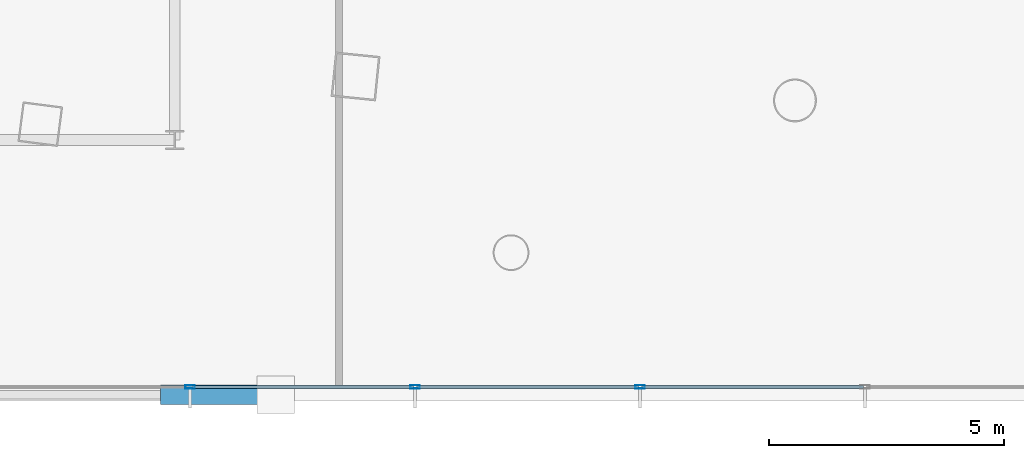
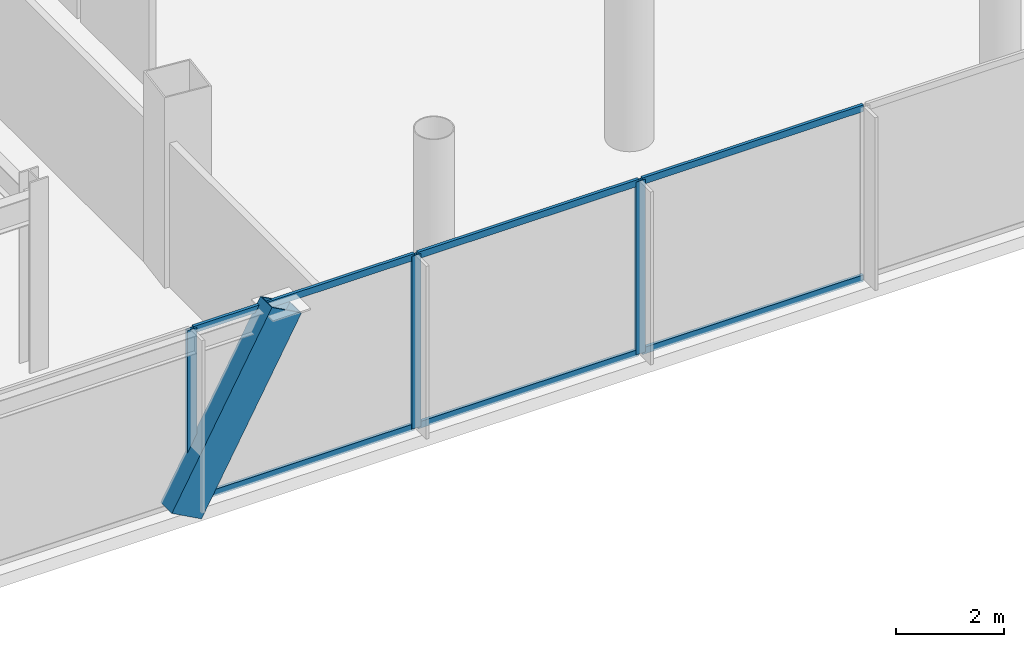
# One storey, part 7 of 46: 10 members, 1 element without a shape of its own.
"""IFC4 building model written with IfcOpenShell, lengths in metres."""

from ifc_helpers import new_model, si_unit, direction, frame, origin, origin_2d, place, context, subcontext, project, spatial, hollow_rectangle, extrude, material, layer, layer_set, material_profile, profile_set, type_object, element, aggregate, save


model = new_model("IFC4")

# Units and contexts
model_context = context("Model", 3, precision=1e-05, world=origin(), true_north=direction((0.0, 1.0)))
body_context = subcontext(model_context, "Body", "Model", "MODEL_VIEW")
ifc_project = project(units=[si_unit("LENGTHUNIT", "METRE"), si_unit("AREAUNIT", "SQUARE_METRE"), si_unit("VOLUMEUNIT", "CUBIC_METRE"), si_unit("PLANEANGLEUNIT", "RADIAN"), si_unit("MASSUNIT", "GRAM", prefix="KILO")], contexts=[model_context])

# Site, building, storey
site_placement = place(None, origin())
site = spatial("IfcSite", under=ifc_project, at=site_placement, CompositionType="ELEMENT")
building_placement = place(site_placement, origin())
building = spatial("IfcBuilding", under=site, at=building_placement, Name="Orvanel Arch Residences", CompositionType="ELEMENT")
storey_placement = place(building_placement, frame((0.0, 0.0, 14.10009765625)))
storey = spatial("IfcBuildingStorey", under=building, at=storey_placement, Name="L03", CompositionType="ELEMENT", Elevation=14.10009765625)

# Member
ifc_material_1 = material(Name="Structural steel AS/NZS 3678 Grade 350", Category="steel")
ifc_material_profile_1 = material_profile(ifc_material_1, hollow_rectangle(XDim=0.419921875, YDim=0.719970703125, WallThickness=0.02490234375, at=origin_2d()), Name="RHS720x420x25")
ifc_profile_set_1 = profile_set([ifc_material_profile_1], Name="Structural steel AS/NZS 3678 Grade 350")
member_type_1 = type_object("IfcMemberType", Name="BR-720RHS-EXT", PredefinedType="BRACE", material=ifc_profile_set_1)
member_1_placement = place(storey_placement, frame((19.81591796875, 0.580078125, 0.0), z_axis=(0.480032945873, 0.0, 0.877250460745), x_axis=(0.0, 1.0, 0.0)))
element("IfcMember", 1, at=member_1_placement, inside=storey, type_object=member_type_1, Name="L03 Podium Multi-Storey V-Strut Pair SW Leg 2", PredefinedType="BRACE", context=body_context, shape_type="SweptSolid", body=[
    extrude(hollow_rectangle(XDim=0.419921875, YDim=0.719970703125, WallThickness=0.02490234375, at=origin_2d()), origin(), (0.0, 0.0, 1.0), 4.445556640625),
])

# Curtain wall, members
ifc_material_2 = material(Name="Bronze-anodised aluminium AA6063-T6", Category="aluminium")
ifc_layer = layer(ifc_material_2, 0.199951171875)
ifc_layer_set = layer_set([ifc_layer], Name="Bronze-anodised aluminium AA6063-T6")
curtain_wall_type = type_object("IfcCurtainWallType", Name="CW1-POD-SYS", PredefinedType="NOTDEFINED", material=ifc_layer_set)
curtain_wall_placement = place(storey_placement, origin())
curtain_wall = element("IfcCurtainWall", 2, at=curtain_wall_placement, inside=storey, type_object=curtain_wall_type, Name="L03 CW1-POD-SYS Unitised Curtain Wall", PredefinedType="NOTDEFINED")
ifc_material_profile_2 = material_profile(ifc_material_2, hollow_rectangle(XDim=0.074951171875, YDim=0.199951171875, WallThickness=0.0048828125, at=origin_2d()), Name="ALU200x75x5")
ifc_profile_set_2 = profile_set([ifc_material_profile_2], Name="Bronze-anodised aluminium AA6063-T6")
member_type_2 = type_object("IfcMemberType", Name="MUL-200x75", PredefinedType="MULLION", material=ifc_profile_set_2)
member_2_placement = place(storey_placement, frame((20.128662109375, 0.75, 0.0), z_axis=(0.0, 0.0, 1.0), x_axis=(0.0, 1.0, 0.0)))
member_2 = element("IfcMember", 3, at=member_2_placement, type_object=member_type_2, Name="CW-S1 mullion 2", PredefinedType="MULLION", context=body_context, shape_type="SweptSolid", body=[
    extrude(hollow_rectangle(XDim=0.074951171875, YDim=0.199951171875, WallThickness=0.0048828125, at=origin_2d()), origin(), (0.0, 0.0, 1.0), 3.89990234375),
])
member_3_placement = place(storey_placement, frame((24.917236328125, 0.75, 0.0), z_axis=(0.0, 0.0, 1.0), x_axis=(0.0, 1.0, 0.0)))
member_3 = element("IfcMember", 4, at=member_3_placement, type_object=member_type_2, Name="CW-S1 mullion 3", PredefinedType="MULLION", context=body_context, shape_type="SweptSolid", body=[
    extrude(hollow_rectangle(XDim=0.074951171875, YDim=0.199951171875, WallThickness=0.0048828125, at=origin_2d()), origin(), (0.0, 0.0, 1.0), 3.89990234375),
])
member_4_placement = place(storey_placement, frame((29.705810546875, 0.75, 0.0), z_axis=(0.0, 0.0, 1.0), x_axis=(0.0, 1.0, 0.0)))
member_4 = element("IfcMember", 5, at=member_4_placement, type_object=member_type_2, Name="CW-S1 mullion 4", PredefinedType="MULLION", context=body_context, shape_type="SweptSolid", body=[
    extrude(hollow_rectangle(XDim=0.074951171875, YDim=0.199951171875, WallThickness=0.0048828125, at=origin_2d()), origin(), (0.0, 0.0, 1.0), 3.89990234375),
])
ifc_material_profile_3 = material_profile(ifc_material_2, hollow_rectangle(XDim=0.06494140625, YDim=0.14990234375, WallThickness=0.00390625, at=origin_2d()), Name="ALU150x65x4")
ifc_profile_set_3 = profile_set([ifc_material_profile_3], Name="Bronze-anodised aluminium AA6063-T6")
member_type_3 = type_object("IfcMemberType", Name="TRN-150x65", PredefinedType="USERDEFINED", material=ifc_profile_set_3)
member_5_placement = place(storey_placement, frame((20.166015625, 0.75, 0.032470703125), z_axis=(1.0, 0.0, 0.0), x_axis=(0.0, 1.0, 0.0)))
member_5 = element("IfcMember", 6, at=member_5_placement, type_object=member_type_3, Name="CW-S1 transom 2.1", ObjectType="TRANSOM", PredefinedType="USERDEFINED", context=body_context, shape_type="SweptSolid", body=[
    extrude(hollow_rectangle(XDim=0.06494140625, YDim=0.14990234375, WallThickness=0.00390625, at=origin_2d()), origin(), (0.0, 0.0, 1.0), 4.713623046875),
])
member_6_placement = place(storey_placement, frame((20.166015625, 0.75, 3.867431640625), z_axis=(1.0, 0.0, 0.0), x_axis=(0.0, 1.0, 0.0)))
member_6 = element("IfcMember", 7, at=member_6_placement, type_object=member_type_3, Name="CW-S1 transom 2.2", ObjectType="TRANSOM", PredefinedType="USERDEFINED", context=body_context, shape_type="SweptSolid", body=[
    extrude(hollow_rectangle(XDim=0.06494140625, YDim=0.14990234375, WallThickness=0.00390625, at=origin_2d()), origin(), (0.0, 0.0, 1.0), 4.713623046875),
])
member_7_placement = place(storey_placement, frame((24.95458984375, 0.75, 0.032470703125), z_axis=(1.0, 0.0, 0.0), x_axis=(0.0, 1.0, 0.0)))
member_7 = element("IfcMember", 8, at=member_7_placement, type_object=member_type_3, Name="CW-S1 transom 3.1", ObjectType="TRANSOM", PredefinedType="USERDEFINED", context=body_context, shape_type="SweptSolid", body=[
    extrude(hollow_rectangle(XDim=0.06494140625, YDim=0.14990234375, WallThickness=0.00390625, at=origin_2d()), origin(), (0.0, 0.0, 1.0), 4.713623046875),
])
member_8_placement = place(storey_placement, frame((24.95458984375, 0.75, 3.867431640625), z_axis=(1.0, 0.0, 0.0), x_axis=(0.0, 1.0, 0.0)))
member_8 = element("IfcMember", 9, at=member_8_placement, type_object=member_type_3, Name="CW-S1 transom 3.2", ObjectType="TRANSOM", PredefinedType="USERDEFINED", context=body_context, shape_type="SweptSolid", body=[
    extrude(hollow_rectangle(XDim=0.06494140625, YDim=0.14990234375, WallThickness=0.00390625, at=origin_2d()), origin(), (0.0, 0.0, 1.0), 4.713623046875),
])
member_9_placement = place(storey_placement, frame((29.7431640625, 0.75, 0.032470703125), z_axis=(1.0, 0.0, 0.0), x_axis=(0.0, 1.0, 0.0)))
member_9 = element("IfcMember", 10, at=member_9_placement, type_object=member_type_3, Name="CW-S1 transom 4.1", ObjectType="TRANSOM", PredefinedType="USERDEFINED", context=body_context, shape_type="SweptSolid", body=[
    extrude(hollow_rectangle(XDim=0.06494140625, YDim=0.14990234375, WallThickness=0.00390625, at=origin_2d()), origin(), (0.0, 0.0, 1.0), 4.713623046875),
])
member_10_placement = place(storey_placement, frame((29.7431640625, 0.75, 3.867431640625), z_axis=(1.0, 0.0, 0.0), x_axis=(0.0, 1.0, 0.0)))
member_10 = element("IfcMember", 11, at=member_10_placement, type_object=member_type_3, Name="CW-S1 transom 4.2", ObjectType="TRANSOM", PredefinedType="USERDEFINED", context=body_context, shape_type="SweptSolid", body=[
    extrude(hollow_rectangle(XDim=0.06494140625, YDim=0.14990234375, WallThickness=0.00390625, at=origin_2d()), origin(), (0.0, 0.0, 1.0), 4.713623046875),
])
aggregate(curtain_wall, [member_2, member_3, member_4, member_5, member_6, member_7, member_8, member_9, member_10])

save(model, "model.ifc")
